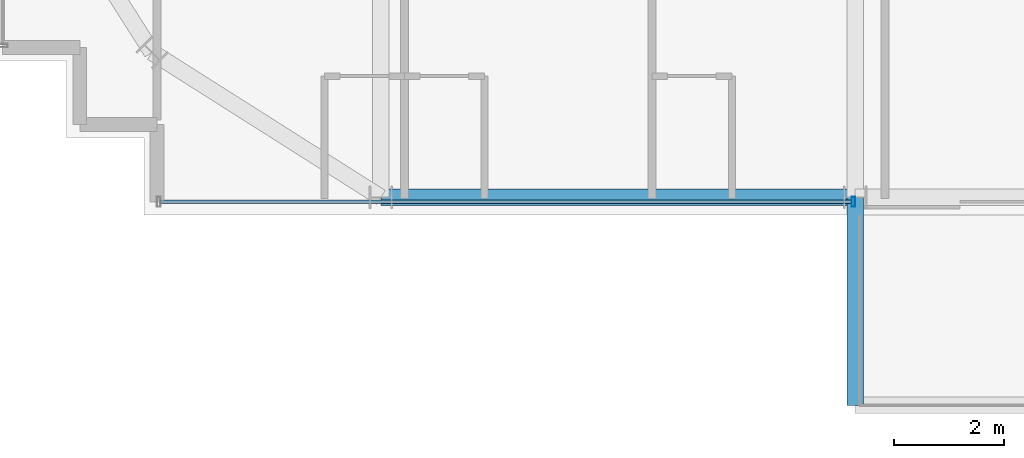
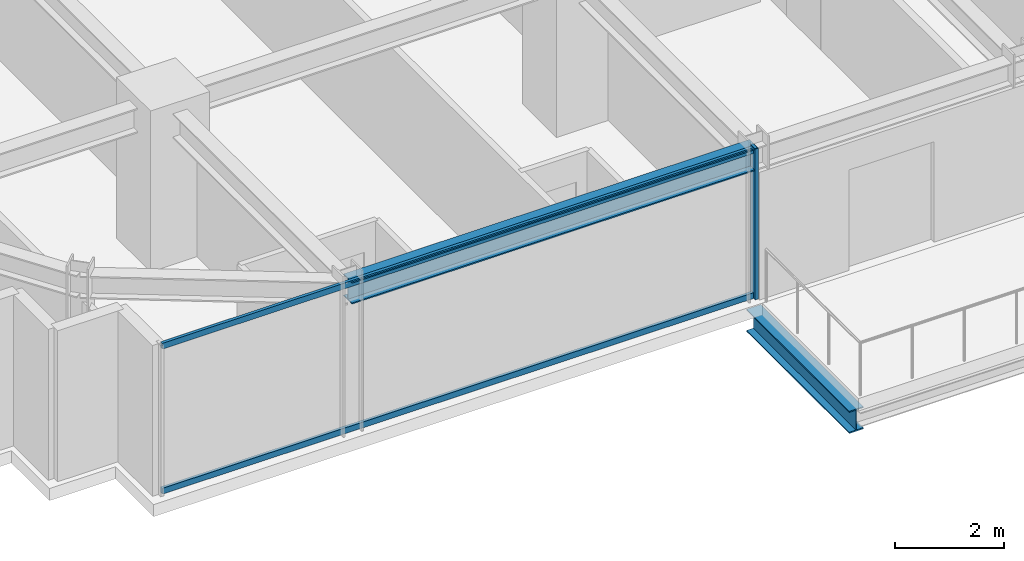
# One storey, part 3 of 33: 3 members, 2 beams, 1 element without a shape of its own.
"""IFC4 building model written with IfcOpenShell, lengths in metres."""

from ifc_helpers import new_model, si_unit, direction, frame, origin, origin_2d, place, context, subcontext, project, spatial, hollow_rectangle, i_section, extrude, source, transform, mapped, material, material_profile, profile_set, type_object, element, aggregate, save


model = new_model("IFC4")

# Units and contexts
model_context = context("Model", 3, precision=1e-05, world=origin(), true_north=direction((0.0, 1.0)))
body_context = subcontext(model_context, "Body", "Model", "MODEL_VIEW")
ifc_project = project(units=[si_unit("LENGTHUNIT", "METRE"), si_unit("AREAUNIT", "SQUARE_METRE"), si_unit("VOLUMEUNIT", "CUBIC_METRE"), si_unit("PLANEANGLEUNIT", "RADIAN"), si_unit("MASSUNIT", "GRAM", prefix="KILO")], contexts=[model_context])

# Site, building, storey
site_placement = place(None, origin())
site = spatial("IfcSite", under=ifc_project, at=site_placement, CompositionType="ELEMENT")
building_placement = place(site_placement, origin())
building = spatial("IfcBuilding", under=site, at=building_placement, Name="Nahalor Promenade Grand Hotel", CompositionType="ELEMENT")
storey_placement = place(building_placement, frame((0.0, 0.0, 117.5)))
storey = spatial("IfcBuildingStorey", under=building, at=storey_placement, Name="L29", CompositionType="ELEMENT", Elevation=117.5)

# Beams
ifc_material_1 = material(Name="Steel S355JR", Category="steel")
ifc_material_profile_1 = material_profile(ifc_material_1, i_section(OverallWidth=0.3, OverallDepth=0.5, WebThickness=0.0145, FlangeThickness=0.028, at=origin_2d()), Name="HEB 500")
ifc_profile_set_1 = profile_set([ifc_material_profile_1], Name="Steel S355JR")
beam_type_1 = type_object("IfcBeamType", Name="Beam-Outrigger-HEB500", PredefinedType="BEAM", material=ifc_profile_set_1)
shared_shape_1 = source(origin(), body_context, "Body", "SweptSolid", [
    extrude(i_section(OverallWidth=0.3, OverallDepth=0.5, WebThickness=0.0145, FlangeThickness=0.028, at=origin_2d()), origin(), (0.0, 0.0, 1.0), 3.77001953125),
])
beam_1_placement = place(storey_placement, frame((-8.39990234375, -27.550048828125, -0.530029296875), z_axis=(0.0, 1.0, 0.0), x_axis=(-1.0, 0.0, 0.0)))
element("IfcBeam", 1, at=beam_1_placement, inside=storey, type_object=beam_type_1, Name="BM-L29-BC-01-1", PredefinedType="BEAM", context=body_context, shape_type="MappedRepresentation", body=[
    mapped(shared_shape_1, transform((0.0, 0.0, 0.0), scale=1.0)),
])
ifc_material_profile_2 = material_profile(ifc_material_1, i_section(OverallWidth=0.3, OverallDepth=0.5, WebThickness=0.0145, FlangeThickness=0.028, at=origin_2d()), Name="HEB 500")
ifc_profile_set_2 = profile_set([ifc_material_profile_2], Name="Steel S355JR")
beam_type_2 = type_object("IfcBeamType", Name="Beam-Spandrel-HEB500", PredefinedType="SPANDREL", material=ifc_profile_set_2)
shared_shape_2 = source(origin(), body_context, "Body", "SweptSolid", [
    extrude(i_section(OverallWidth=0.3, OverallDepth=0.5, WebThickness=0.0145, FlangeThickness=0.028, at=origin_2d()), origin(), (0.0, 0.0, 1.0), 8.60009765625),
])
beam_2_placement = place(storey_placement, frame((-17.0, -23.780029296875, 3.1298828125), z_axis=(1.0, 0.0, 0.0), x_axis=(0.0, 1.0, 0.0)))
element("IfcBeam", 2, at=beam_2_placement, inside=storey, type_object=beam_type_2, Name="BM-L29-SP-S-0", PredefinedType="SPANDREL", context=body_context, shape_type="MappedRepresentation", body=[
    mapped(shared_shape_2, transform((0.0, 0.0, 0.0), scale=1.0)),
])

# Curtain wall, members
ifc_material_2 = material(Name="Anodised Bronze Aluminium EN AW-6063 T6", Category="aluminium")
curtain_wall_type = type_object("IfcCurtainWallType", Name="CW2 Typical Hotel Flush Bronze Unitised Curtain Wall", PredefinedType="USERDEFINED", material=ifc_material_2)
curtain_wall_placement = place(storey_placement, origin())
curtain_wall = element("IfcCurtainWall", 3, at=curtain_wall_placement, inside=storey, type_object=curtain_wall_type, Name="L29 Curtain Wall CW-L29-S-1", ObjectType="UNITISED_CURTAIN_WALL", PredefinedType="USERDEFINED")
ifc_material_profile_3 = material_profile(ifc_material_2, hollow_rectangle(XDim=0.065, YDim=0.18, WallThickness=0.004, at=origin_2d()), Name="CWM 65x180x4")
ifc_profile_set_3 = profile_set([ifc_material_profile_3], Name="Anodised Bronze Aluminium EN AW-6063 T6")
member_type_1 = type_object("IfcMemberType", Name="CWM2 Typical Bronze Mullion 65x180", PredefinedType="MULLION", material=ifc_profile_set_3)
shared_shape_3 = source(origin(), body_context, "Body", "SweptSolid", [
    extrude(hollow_rectangle(XDim=0.065, YDim=0.18, WallThickness=0.004, at=origin_2d()), origin(), (0.0, 0.0, 1.0), 3.3798828125),
])
member_1_placement = place(storey_placement, frame((-8.4326171875, -23.860107421875, 0.0), z_axis=(0.0, 0.0, 1.0), x_axis=(1.0, 0.0, 0.0)))
member_1 = element("IfcMember", 4, at=member_1_placement, type_object=member_type_1, Name="CW-L29-S-1 Mullion 1", PredefinedType="MULLION", context=body_context, shape_type="MappedRepresentation", body=[
    mapped(shared_shape_3, transform((0.0, 0.0, 0.0), scale=1.0)),
])
ifc_material_profile_4 = material_profile(ifc_material_2, hollow_rectangle(XDim=0.065, YDim=0.13, WallThickness=0.004, at=origin_2d()), Name="CWT 65x130x4")
ifc_profile_set_4 = profile_set([ifc_material_profile_4], Name="Anodised Bronze Aluminium EN AW-6063 T6")
member_type_2 = type_object("IfcMemberType", Name="CWT2 Typical Bronze Transom 65x130", PredefinedType="USERDEFINED", material=ifc_profile_set_4)
shared_shape_4 = source(origin(), body_context, "Body", "SweptSolid", [
    extrude(hollow_rectangle(XDim=0.065, YDim=0.13, WallThickness=0.004, at=origin_2d()), origin(), (0.0, 0.0, 1.0), 12.530029296875),
])
member_2_placement = place(storey_placement, frame((-20.9951171875, -23.860107421875, 0.06494140625), z_axis=(1.0, 0.0, 0.0), x_axis=(0.0, 1.0, 0.0)))
member_2 = element("IfcMember", 5, at=member_2_placement, type_object=member_type_2, Name="CW-L29-S-1 Transom 0-0", ObjectType="TRANSOM", PredefinedType="USERDEFINED", context=body_context, shape_type="MappedRepresentation", body=[
    mapped(shared_shape_4, transform((0.0, 0.0, 0.0), scale=1.0)),
])
member_3_placement = place(storey_placement, frame((-20.9951171875, -23.860107421875, 3.31494140625), z_axis=(1.0, 0.0, 0.0), x_axis=(0.0, 1.0, 0.0)))
member_3 = element("IfcMember", 6, at=member_3_placement, type_object=member_type_2, Name="CW-L29-S-1 Transom 0-1", ObjectType="TRANSOM", PredefinedType="USERDEFINED", context=body_context, shape_type="MappedRepresentation", body=[
    mapped(shared_shape_4, transform((0.0, 0.0, 0.0), scale=1.0)),
])
aggregate(curtain_wall, [member_1, member_2, member_3])

save(model, "model.ifc")
